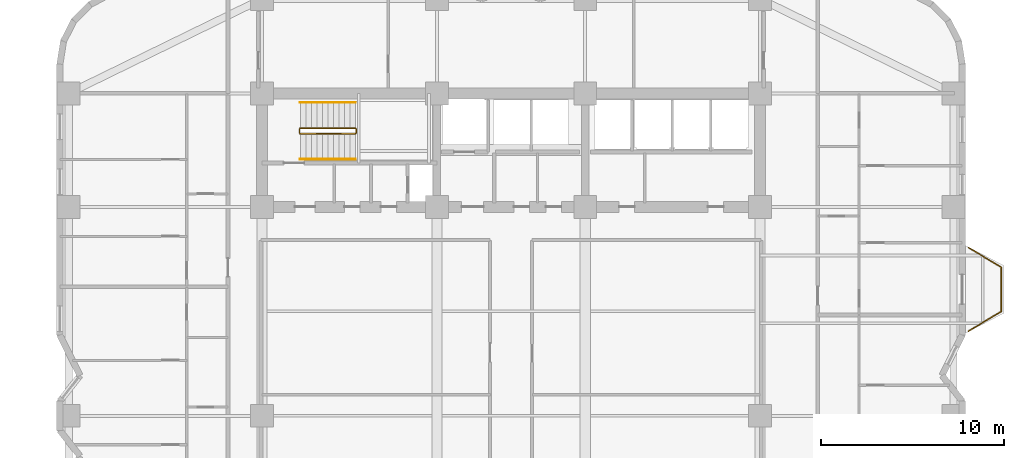
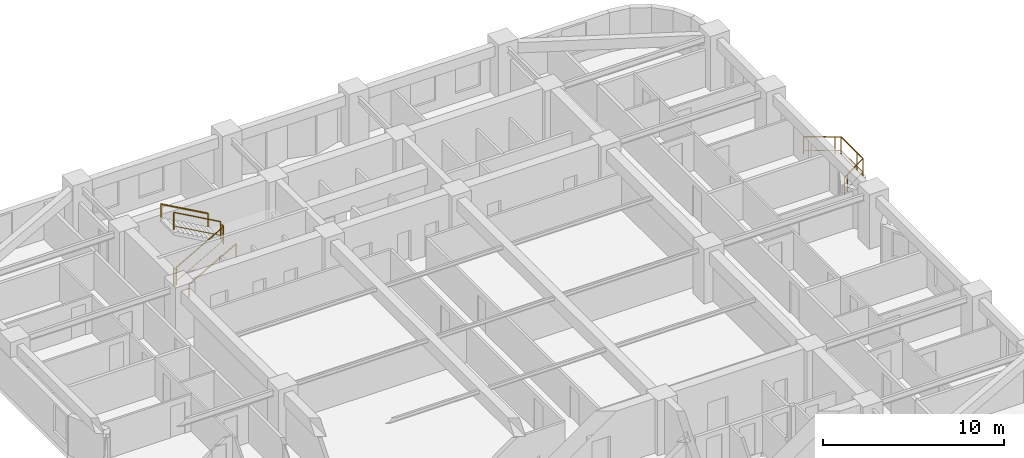
# One storey, part 10 of 10: 7 railings.
"""IFC4 building model written with IfcOpenShell, lengths in metres."""

from ifc_helpers import new_model, si_unit, direction, frame, origin, origin_2d, place, context, subcontext, project, spatial, rectangle, extrude, material, type_object, element, save


model = new_model("IFC4")

# Units and contexts
model_context = context("Model", 3, precision=1e-05, world=origin(), true_north=direction((0.0, 1.0)))
body_context = subcontext(model_context, "Body", "Model", "MODEL_VIEW")
ifc_project = project(units=[si_unit("LENGTHUNIT", "METRE"), si_unit("AREAUNIT", "SQUARE_METRE"), si_unit("VOLUMEUNIT", "CUBIC_METRE"), si_unit("PLANEANGLEUNIT", "RADIAN"), si_unit("MASSUNIT", "GRAM", prefix="KILO")], contexts=[model_context])

# Site, building, storey
site_placement = place(None, origin())
site = spatial("IfcSite", under=ifc_project, at=site_placement, CompositionType="ELEMENT")
building_placement = place(site_placement, origin())
building = spatial("IfcBuilding", under=site, at=building_placement, Name="Svetorya Sky Lyceum", CompositionType="ELEMENT")
storey_placement = place(building_placement, frame((0.0, 0.0, 73.199951171875)))
storey = spatial("IfcBuildingStorey", under=building, at=storey_placement, Name="L18", CompositionType="ELEMENT", Elevation=73.199951171875)

# Railings
ifc_material_1 = material(Name="Laminated safety glass and stainless AISI 316", Category="glass")
railing_type_1 = type_object("IfcRailingType", Name="RL-BAL-1200", PredefinedType="BALUSTRADE", material=ifc_material_1)
railing_1_placement = place(storey_placement, frame((64.169921875, 37.3798828125, 0.0)))
element("IfcRailing", 1, at=railing_1_placement, inside=storey, type_object=railing_type_1, Name="L18 Balcony Balustrade BAL-E1", PredefinedType="BALUSTRADE", context=body_context, shape_type="SweptSolid", body=[
    extrude(rectangle(XDim=0.048095703125, YDim=0.048095703125, at=origin_2d()), frame((0.0, 0.0, 1.17578125), z_axis=(0.85753397263, -0.514427337711, 0.0), x_axis=(0.514427337711, 0.85753397263, 0.0)), (0.0, 0.0, 1.0), 2.09912109375),
    extrude(rectangle(XDim=0.02392578125, YDim=0.02392578125, at=origin_2d()), frame((0.0, 0.0, 0.25), z_axis=(0.85753397263, -0.514427337711, 0.0), x_axis=(0.514427337711, 0.85753397263, 0.0)), (0.0, 0.0, 1.0), 2.09912109375),
    extrude(rectangle(XDim=0.048095703125, YDim=0.048095703125, at=origin_2d()), frame((1.800048828125, -1.079833984375, 1.17578125), z_axis=(0.0, -1.0, 0.0), x_axis=(1.0, 0.0, 0.0)), (0.0, 0.0, 1.0), 2.400146484375),
    extrude(rectangle(XDim=0.02392578125, YDim=0.02392578125, at=origin_2d()), frame((1.800048828125, -1.079833984375, 0.25), z_axis=(0.0, -1.0, 0.0), x_axis=(1.0, 0.0, 0.0)), (0.0, 0.0, 1.0), 2.400146484375),
    extrude(rectangle(XDim=0.048095703125, YDim=0.048095703125, at=origin_2d()), frame((1.800048828125, -3.47998046875, 1.17578125), z_axis=(-0.85753397263, -0.514427337711, 0.0), x_axis=(0.514427337711, -0.85753397263, 0.0)), (0.0, 0.0, 1.0), 2.09912109375),
    extrude(rectangle(XDim=0.02392578125, YDim=0.02392578125, at=origin_2d()), frame((1.800048828125, -3.47998046875, 0.25), z_axis=(-0.85753397263, -0.514427337711, 0.0), x_axis=(0.514427337711, -0.85753397263, 0.0)), (0.0, 0.0, 1.0), 2.09912109375),
    extrude(rectangle(XDim=0.0419921875, YDim=0.0419921875, at=origin_2d()), origin(), (0.0, 0.0, 1.0), 1.15185546875),
    extrude(rectangle(XDim=0.0419921875, YDim=0.0419921875, at=origin_2d()), frame((1.500732421875, -0.900146484375, 0.0)), (0.0, 0.0, 1.0), 1.15185546875),
    extrude(rectangle(XDim=0.0419921875, YDim=0.0419921875, at=origin_2d()), frame((1.800048828125, -1.079833984375, 0.0)), (0.0, 0.0, 1.0), 1.15185546875),
    extrude(rectangle(XDim=0.0419921875, YDim=0.0419921875, at=origin_2d()), frame((1.800048828125, -2.829833984375, 0.0)), (0.0, 0.0, 1.0), 1.15185546875),
    extrude(rectangle(XDim=0.0419921875, YDim=0.0419921875, at=origin_2d()), frame((1.800048828125, -3.47998046875, 0.0)), (0.0, 0.0, 1.0), 1.15185546875),
    extrude(rectangle(XDim=0.0419921875, YDim=0.0419921875, at=origin_2d()), frame((0.29931640625, -4.380126953125, 0.0)), (0.0, 0.0, 1.0), 1.15185546875),
    extrude(rectangle(XDim=0.0419921875, YDim=0.0419921875, at=origin_2d()), frame((0.0, -4.559814453125, 0.0)), (0.0, 0.0, 1.0), 1.15185546875),
])
ifc_material_2 = material(Name="Painted galvanized stair well guard")
railing_type_2 = type_object("IfcRailingType", Name="RL-STR-GUARD-1200", PredefinedType="GUARDRAIL", material=ifc_material_2)
railing_2_placement = place(storey_placement, frame((27.699951171875, 43.60009765625, 0.168212890625)))
element("IfcRailing", 2, at=railing_2_placement, inside=storey, type_object=railing_type_2, Name="L18 ST-N stair guard 1", PredefinedType="GUARDRAIL", context=body_context, shape_type="SweptSolid", body=[
    extrude(rectangle(XDim=0.048095703125, YDim=0.048095703125, at=origin_2d()), frame((0.0, 0.0, 1.17578125), z_axis=(0.872272294576, 0.0, 0.489020494575), x_axis=(0.0, 1.0, 0.0)), (0.0, 0.0, 1.0), 3.439208984375),
    extrude(rectangle(XDim=0.02392578125, YDim=0.02392578125, at=origin_2d()), frame((0.0, 0.0, 0.25), z_axis=(0.872272294576, 0.0, 0.489020494575), x_axis=(0.0, 1.0, 0.0)), (0.0, 0.0, 1.0), 3.439208984375),
    extrude(rectangle(XDim=0.0419921875, YDim=0.0419921875, at=origin_2d()), origin(), (0.0, 0.0, 1.0), 1.15185546875),
    extrude(rectangle(XDim=0.0419921875, YDim=0.0419921875, at=origin_2d()), frame((3.0, 0.0, 1.681884765625)), (0.0, 0.0, 1.0), 1.15185546875),
])
railing_3_placement = place(storey_placement, frame((30.75, 43.64990234375, 1.85009765625)))
element("IfcRailing", 3, at=railing_3_placement, inside=storey, type_object=railing_type_2, Name="L18 ST-N stair guard 2", PredefinedType="GUARDRAIL", context=body_context, shape_type="SweptSolid", body=[
    extrude(rectangle(XDim=0.048095703125, YDim=0.048095703125, at=origin_2d()), frame((0.0, 0.0, 1.17578125), z_axis=(0.0, 1.0, 0.0), x_axis=(-1.0, 0.0, 0.0)), (0.0, 0.0, 1.0), 0.2001953125),
    extrude(rectangle(XDim=0.02392578125, YDim=0.02392578125, at=origin_2d()), frame((0.0, 0.0, 0.25), z_axis=(0.0, 1.0, 0.0), x_axis=(-1.0, 0.0, 0.0)), (0.0, 0.0, 1.0), 0.2001953125),
    extrude(rectangle(XDim=0.0419921875, YDim=0.0419921875, at=origin_2d()), origin(), (0.0, 0.0, 1.0), 1.15185546875),
    extrude(rectangle(XDim=0.0419921875, YDim=0.0419921875, at=origin_2d()), frame((0.0, 0.2001953125, 0.0)), (0.0, 0.0, 1.0), 1.15185546875),
])
railing_4_placement = place(storey_placement, frame((30.699951171875, 43.89990234375, 2.018310546875)))
element("IfcRailing", 4, at=railing_4_placement, inside=storey, type_object=railing_type_2, Name="L18 ST-N stair guard 3", PredefinedType="GUARDRAIL", context=body_context, shape_type="SweptSolid", body=[
    extrude(rectangle(XDim=0.048095703125, YDim=0.048095703125, at=origin_2d()), frame((0.0, 0.0, 1.17578125), z_axis=(-0.872302573547, 0.0, 0.488966481656), x_axis=(0.0, -1.0, 0.0)), (0.0, 0.0, 1.0), 3.439208984375),
    extrude(rectangle(XDim=0.02392578125, YDim=0.02392578125, at=origin_2d()), frame((0.0, 0.0, 0.25), z_axis=(-0.872302573547, 0.0, 0.488966481656), x_axis=(0.0, -1.0, 0.0)), (0.0, 0.0, 1.0), 3.439208984375),
    extrude(rectangle(XDim=0.0419921875, YDim=0.0419921875, at=origin_2d()), origin(), (0.0, 0.0, 1.0), 1.15185546875),
    extrude(rectangle(XDim=0.0419921875, YDim=0.0419921875, at=origin_2d()), frame((-3.0, 0.0, 1.681640625)), (0.0, 0.0, 1.0), 1.15185546875),
])
railing_5_placement = place(storey_placement, frame((27.64990234375, 43.64990234375, 0.0)))
element("IfcRailing", 5, at=railing_5_placement, inside=storey, type_object=railing_type_2, Name="L18 ST-N stair guard 4", PredefinedType="GUARDRAIL", context=body_context, shape_type="SweptSolid", body=[
    extrude(rectangle(XDim=0.048095703125, YDim=0.048095703125, at=origin_2d()), frame((0.0, 0.0, 1.17578125), z_axis=(0.0, 1.0, 0.0), x_axis=(-1.0, 0.0, 0.0)), (0.0, 0.0, 1.0), 0.2001953125),
    extrude(rectangle(XDim=0.02392578125, YDim=0.02392578125, at=origin_2d()), frame((0.0, 0.0, 0.25), z_axis=(0.0, 1.0, 0.0), x_axis=(-1.0, 0.0, 0.0)), (0.0, 0.0, 1.0), 0.2001953125),
    extrude(rectangle(XDim=0.0419921875, YDim=0.0419921875, at=origin_2d()), origin(), (0.0, 0.0, 1.0), 1.15185546875),
    extrude(rectangle(XDim=0.0419921875, YDim=0.0419921875, at=origin_2d()), frame((0.0, 0.2001953125, 0.0)), (0.0, 0.0, 1.0), 1.15185546875),
])
ifc_material_3 = material(Name="Brushed stainless AISI 304 stair handrail")
railing_type_3 = type_object("IfcRailingType", Name="RL-STR-HAND-920", PredefinedType="HANDRAIL", material=ifc_material_3)
railing_6_placement = place(storey_placement, frame((27.699951171875, 42.199951171875, 0.168212890625)))
element("IfcRailing", 6, at=railing_6_placement, inside=storey, type_object=railing_type_3, Name="L18 ST-N stair handrail 1", PredefinedType="HANDRAIL", context=body_context, shape_type="SweptSolid", body=[
    extrude(rectangle(XDim=0.048095703125, YDim=0.048095703125, at=origin_2d()), frame((0.0, 0.0, 0.8759765625), z_axis=(0.872272294576, 0.0, 0.489020494575), x_axis=(0.0, 1.0, 0.0)), (0.0, 0.0, 1.0), 3.439208984375),
    extrude(rectangle(XDim=0.0419921875, YDim=0.0419921875, at=origin_2d()), origin(), (0.0, 0.0, 1.0), 0.851806640625),
    extrude(rectangle(XDim=0.0419921875, YDim=0.0419921875, at=origin_2d()), frame((3.0, 0.0, 1.681884765625)), (0.0, 0.0, 1.0), 0.851806640625),
])
railing_7_placement = place(storey_placement, frame((30.699951171875, 45.300048828125, 2.018310546875)))
element("IfcRailing", 7, at=railing_7_placement, inside=storey, type_object=railing_type_3, Name="L18 ST-N stair handrail 2", PredefinedType="HANDRAIL", context=body_context, shape_type="SweptSolid", body=[
    extrude(rectangle(XDim=0.048095703125, YDim=0.048095703125, at=origin_2d()), frame((0.0, 0.0, 0.8759765625), z_axis=(-0.872302573547, 0.0, 0.488966481656), x_axis=(0.0, -1.0, 0.0)), (0.0, 0.0, 1.0), 3.439208984375),
    extrude(rectangle(XDim=0.0419921875, YDim=0.0419921875, at=origin_2d()), origin(), (0.0, 0.0, 1.0), 0.851806640625),
    extrude(rectangle(XDim=0.0419921875, YDim=0.0419921875, at=origin_2d()), frame((-3.0, 0.0, 1.681640625)), (0.0, 0.0, 1.0), 0.851806640625),
])

save(model, "model.ifc")
